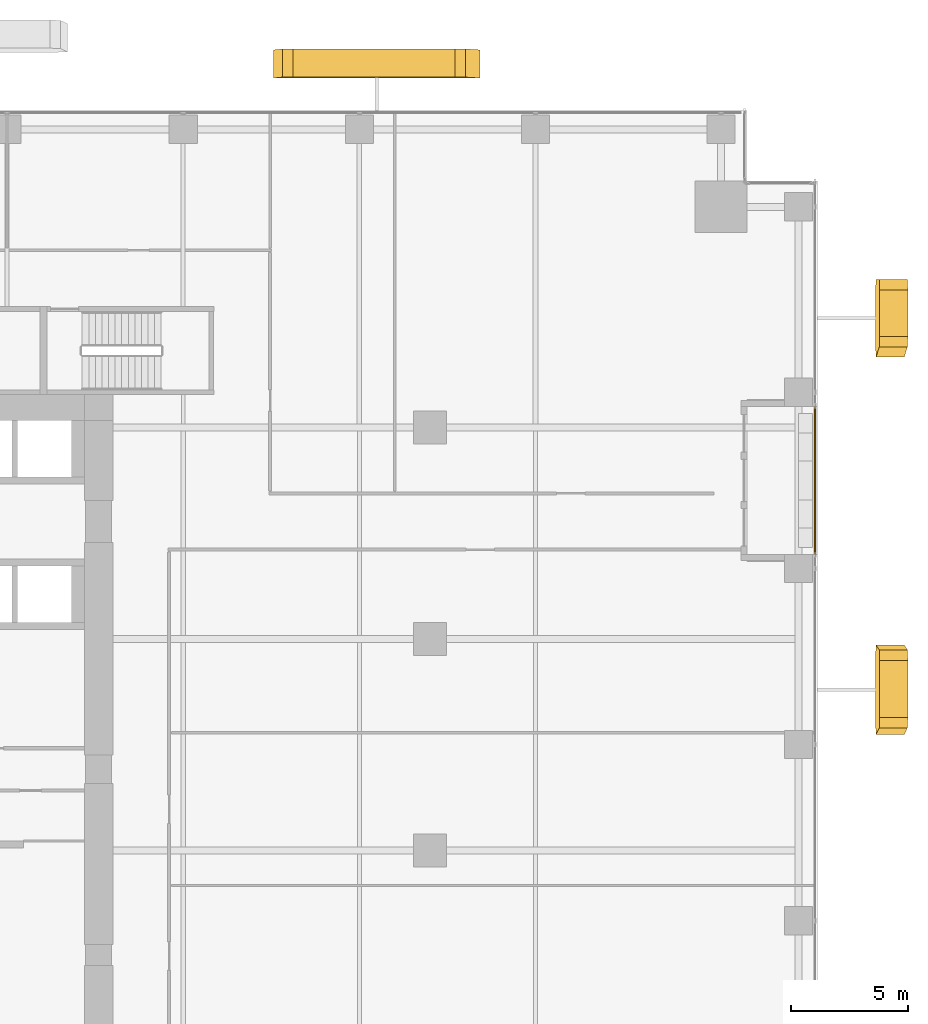
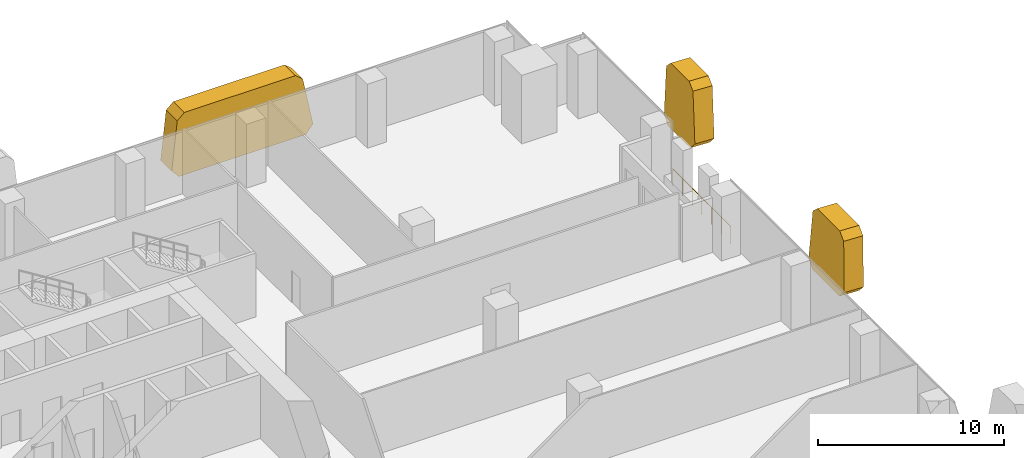
# One storey, part 34 of 35: 3 coverings, 1 railing.
"""IFC4 building model written with IfcOpenShell, lengths in metres."""

import ifcopenshell
import ifcopenshell.guid

model = None  # the IFC model being written
_history = None  # IfcOwnerHistory: only IFC2X3 demands one
_inside = {}  # id of a spatial element -> (the spatial element, [elements in it])
_under = {}  # id of a project, library or spatial element -> (it, [spatial elements below it])
_declared = {}  # id of a project -> (the project, [libraries it declares])
_typed = {}  # id of a type object -> (the type object, [elements of that type])
_made_of = {}  # id of a material, layer set ... -> (it, [elements and type objects made of it])


def new_model(schema):
    """Start an empty IFC model of exactly this schema.

    Asked for "IFC4X3", IfcOpenShell would pick the latest addendum, in which some entities
    have other attributes; the version numbers below select the first issue.
    IFC2X3 requires an IfcOwnerHistory on every rooted entity: one is made here for all.
    """
    global model, _history
    if schema == "IFC4X3":
        model = ifcopenshell.file(schema_version=(4, 3, 0, 0))
    else:
        model = ifcopenshell.file(schema=schema)
    _inside.clear()
    _under.clear()
    _declared.clear()
    _typed.clear()
    _made_of.clear()
    _history = None
    if model.schema == "IFC2X3":
        org = make("IfcOrganization", Name="unknown")
        user = make(
            "IfcPersonAndOrganization",
            ThePerson=make("IfcPerson", FamilyName="unknown"),
            TheOrganization=org,
        )
        app = make(
            "IfcApplication",
            ApplicationDeveloper=org,
            Version="unknown",
            ApplicationFullName="unknown",
            ApplicationIdentifier="unknown",
        )
        _history = make(
            "IfcOwnerHistory",
            OwningUser=user,
            OwningApplication=app,
            ChangeAction="ADDED",
            CreationDate=0,
        )
    return model


def make(cls, **values):
    """One entity of the class cls with the attributes given. An attribute that is None is left unset."""
    return model.create_entity(
        cls, **{name: value for name, value in values.items() if value is not None}
    )


def rooted(cls, **values):
    """An entity with a GlobalId (a new one), such as an element, a storey or a relation."""
    return make(cls, GlobalId=ifcopenshell.guid.new(), OwnerHistory=_history, **values)


def si_unit(unit_type, name, prefix=None):
    """IfcSIUnit, for example si_unit("LENGTHUNIT", "METRE", prefix="MILLI")."""
    return make("IfcSIUnit", UnitType=unit_type, Prefix=prefix, Name=name)


def assignment(units):
    """IfcUnitAssignment: the units of a project."""
    return None if units is None else make("IfcUnitAssignment", Units=units)


def point(xyz):
    """IfcCartesianPoint."""
    return None if xyz is None else make("IfcCartesianPoint", Coordinates=xyz)


def direction(xyz):
    """IfcDirection."""
    return None if xyz is None else make("IfcDirection", DirectionRatios=xyz)


def frame(location, z_axis=None, x_axis=None):
    """IfcAxis2Placement3D, a coordinate frame: its origin and axes. An axis left out is left unset."""
    return make(
        "IfcAxis2Placement3D",
        Location=point(location),
        Axis=direction(z_axis),
        RefDirection=direction(x_axis),
    )


def frame_2d(location, x_axis=None):
    """IfcAxis2Placement2D, a coordinate frame in the plane: its origin and x axis."""
    return make(
        "IfcAxis2Placement2D", Location=point(location), RefDirection=direction(x_axis)
    )


def origin():
    """The frame at (0, 0, 0) with its axes left unset."""
    return frame((0.0, 0.0, 0.0))


def origin_2d():
    """The frame at (0, 0) in the plane with its x axis left unset."""
    return frame_2d((0.0, 0.0))


def place(relative_to, where):
    """IfcLocalPlacement: puts the frame where relative to a parent placement (None: the world)."""
    return make(
        "IfcLocalPlacement", PlacementRelTo=relative_to, RelativePlacement=where
    )


def context(
    kind, dimensions, precision=None, world=None, true_north=None, identifier=None
):
    """IfcGeometricRepresentationContext, for example the 3D "Model" context."""
    return make(
        "IfcGeometricRepresentationContext",
        ContextIdentifier=identifier,
        ContextType=kind,
        CoordinateSpaceDimension=dimensions,
        Precision=precision,
        WorldCoordinateSystem=world,
        TrueNorth=true_north,
    )


def subcontext(parent, identifier, kind, view, scale=None):
    """IfcGeometricRepresentationSubContext, for example "Body" below "Model"."""
    return make(
        "IfcGeometricRepresentationSubContext",
        ContextIdentifier=identifier,
        ContextType=kind,
        ParentContext=parent,
        TargetScale=scale,
        TargetView=view,
    )


def project(units=None, contexts=None):
    """IfcProject with its units and contexts."""
    return rooted(
        "IfcProject",
        Name="project",
        RepresentationContexts=contexts,
        UnitsInContext=assignment(units),
    )


def spatial(cls, under=None, at=None, **own):
    """A site, building, storey or space (cls), placed at a placement, below another one or the project."""
    s = rooted(cls, ObjectPlacement=at, **own)
    if under is not None:
        _under.setdefault(under.id(), (under, []))[1].append(s)
    return s


def polyline(points):
    """IfcPolyline through the points."""
    return make("IfcPolyline", Points=[point(p) for p in points])


def profile(cls, at=None, kind="AREA", **sizes):
    """A parametric profile (cls). Its sizes go by their IFC names, for example OverallWidth=200.0."""
    return make(cls, ProfileType=kind, Position=at, **sizes)


def circle(**sizes):
    """IfcCircleProfileDef."""
    return profile("IfcCircleProfileDef", **sizes)


def outline(outer, holes=None, kind="AREA"):
    """IfcArbitraryClosedProfileDef: a profile drawn as a closed curve; with holes, ...WithVoids."""
    if holes is None:
        return make("IfcArbitraryClosedProfileDef", ProfileType=kind, OuterCurve=outer)
    return make(
        "IfcArbitraryProfileDefWithVoids",
        ProfileType=kind,
        OuterCurve=outer,
        InnerCurves=holes,
    )


def extrude(swept, where, along, depth):
    """IfcExtrudedAreaSolid: the profile swept, set in the frame where, extruded along a direction by depth."""
    return make(
        "IfcExtrudedAreaSolid",
        SweptArea=swept,
        Position=where,
        ExtrudedDirection=direction(along),
        Depth=depth,
    )


def shape(context_of_items, identifier, shape_type, items):
    """IfcShapeRepresentation: the items that make up one representation, for example the "Body"."""
    return make(
        "IfcShapeRepresentation",
        ContextOfItems=context_of_items,
        RepresentationIdentifier=identifier,
        RepresentationType=shape_type,
        Items=items,
    )


def source(mapping_origin, context_of_items, identifier, shape_type, items):
    """IfcRepresentationMap: a shape defined once, which mapped items show again and again."""
    return make(
        "IfcRepresentationMap",
        MappingOrigin=mapping_origin,
        MappedRepresentation=shape(context_of_items, identifier, shape_type, items),
    )


def transform(
    local_origin,
    x_axis=None,
    y_axis=None,
    z_axis=None,
    scale=None,
    scale2=None,
    scale3=None,
    uniform=True,
):
    """IfcCartesianTransformationOperator3D, or its non-uniform kind. x_axis, y_axis, z_axis: its Axis1, 2, 3."""
    if uniform:
        return make(
            "IfcCartesianTransformationOperator3D",
            Axis1=direction(x_axis),
            Axis2=direction(y_axis),
            LocalOrigin=point(local_origin),
            Scale=scale,
            Axis3=direction(z_axis),
        )
    return make(
        "IfcCartesianTransformationOperator3DnonUniform",
        Axis1=direction(x_axis),
        Axis2=direction(y_axis),
        LocalOrigin=point(local_origin),
        Scale=scale,
        Axis3=direction(z_axis),
        Scale2=scale2,
        Scale3=scale3,
    )


def mapped(mapping_source, mapping_target):
    """IfcMappedItem: shows the shape of a source again, moved by a transform."""
    return make(
        "IfcMappedItem", MappingSource=mapping_source, MappingTarget=mapping_target
    )


def material(Name=None, Category=None):
    """IfcMaterial."""
    return make("IfcMaterial", Name=Name, Category=Category)


def layer(
    of_material, thickness, ventilated=None, Name=None, Category=None, Priority=None
):
    """IfcMaterialLayer: one layer of a wall or slab, of a material (None: an air gap)."""
    return make(
        "IfcMaterialLayer",
        Material=of_material,
        LayerThickness=thickness,
        IsVentilated=ventilated,
        Name=Name,
        Category=Category,
        Priority=Priority,
    )


def layer_set(layers, Name=None):
    """IfcMaterialLayerSet."""
    return make("IfcMaterialLayerSet", MaterialLayers=layers, LayerSetName=Name)


def made_of(thing, what):
    """Note that an element or type object is made of a material, layer set ...; save() writes the relation."""
    if what is not None:
        _made_of.setdefault(what.id(), (what, []))[1].append(thing)
    return thing


def type_object(cls, material=None, **own):
    """A type object (cls), such as IfcWallType, which elements share."""
    return made_of(rooted(cls, **own), material)


def element(
    cls,
    number,
    at=None,
    inside=None,
    cuts=None,
    type_object=None,
    material=None,
    context=None,
    identifier="Body",
    shape_type=None,
    held_by="IfcProductDefinitionShape",
    body=None,
    shapes=None,
    **own,
):
    """One element of the class cls, such as IfcWall. Its Tag is "e" and its number.

    at: its placement. inside: the storey or other place that contains it. cuts: it is an
    opening in that element (IfcRelVoidsElement). A single representation is given by context,
    identifier, shape_type and body (its items); several are given by shapes. held_by: the class
    of the entity that holds the representations. save() writes the other relations.
    """
    e = rooted(cls, Tag="e%d" % number, ObjectPlacement=at, **own)
    if body is not None:
        shapes = [shape(context, identifier, shape_type, body)]
    if shapes is not None:
        e.Representation = make(held_by, Representations=shapes)
    if inside is not None:
        _inside.setdefault(inside.id(), (inside, []))[1].append(e)
    if cuts is not None:
        rooted(
            "IfcRelVoidsElement", RelatingBuildingElement=cuts, RelatedOpeningElement=e
        )
    if type_object is not None:
        _typed.setdefault(type_object.id(), (type_object, []))[1].append(e)
    return made_of(e, material)


def aggregate(whole, parts):
    """IfcRelAggregates: a whole, such as a stair, and the parts it consists of."""
    return rooted("IfcRelAggregates", RelatingObject=whole, RelatedObjects=parts)


def save(model, path):
    """Write the relations noted so far, then the file.

    IfcRelAggregates (storeys below a building ...), IfcRelContainedInSpatialStructure (elements
    in a storey), IfcRelDefinesByType, IfcRelAssociatesMaterial and IfcRelDeclares: one each for
    every whole, place, type object, material and project.
    """
    for whole, parts in _under.values():
        aggregate(whole, parts)
    for where, things in _inside.values():
        rooted(
            "IfcRelContainedInSpatialStructure",
            RelatedElements=things,
            RelatingStructure=where,
        )
    for kind, things in _typed.values():
        rooted("IfcRelDefinesByType", RelatedObjects=things, RelatingType=kind)
    for what, things in _made_of.values():
        rooted("IfcRelAssociatesMaterial", RelatedObjects=things, RelatingMaterial=what)
    for by, libraries in _declared.values():
        rooted("IfcRelDeclares", RelatingContext=by, RelatedDefinitions=libraries)
    model.write(path)


model = new_model("IFC4")

# Units and contexts
model_context = context("Model", 3, precision=1e-05, world=origin(), true_north=direction((0.0, 1.0)))
body_context = subcontext(model_context, "Body", "Model", "MODEL_VIEW")
ifc_project = project(units=[si_unit("LENGTHUNIT", "METRE"), si_unit("AREAUNIT", "SQUARE_METRE"), si_unit("VOLUMEUNIT", "CUBIC_METRE"), si_unit("PLANEANGLEUNIT", "RADIAN"), si_unit("MASSUNIT", "GRAM", prefix="KILO")], contexts=[model_context])

# Site, building, storey
site_placement = place(None, origin())
site = spatial("IfcSite", under=ifc_project, at=site_placement, CompositionType="ELEMENT")
building_placement = place(site_placement, origin())
building = spatial("IfcBuilding", under=site, at=building_placement, Name="Khomas Fold Tower", CompositionType="ELEMENT")
storey_placement = place(building_placement, frame((0.0, 0.0, 69.0)))
storey = spatial("IfcBuildingStorey", under=building, at=storey_placement, Name="L14", CompositionType="ELEMENT", Elevation=69.0)

# Coverings
ifc_material_1 = material(Name="Natural stone cladding", Category="masonry")
ifc_layer = layer(ifc_material_1, 1.199951171875)
ifc_layer_set = layer_set([ifc_layer], Name="Natural stone cladding")
covering_type = type_object("IfcCoveringType", Name="SK-Karibib marble stone panel", PredefinedType="CLADDING", material=ifc_layer_set)
covering_1_placement = place(storey_placement, frame((56.635498046875, 31.034423828125, 3.629638671875), z_axis=(-0.999041362511, -4.04762e-07, 0.043776203498), x_axis=(-0.043682174303, 0.065517162844, -0.996894863574)))
element("IfcCovering", 1, at=covering_1_placement, inside=storey, type_object=covering_type, Name="OUTER SKIN leaf L14 ES06-2", PredefinedType="CLADDING", context=body_context, shape_type="SweptSolid", body=[
    extrude(outline(polyline([(0.0, 0.0), (3.1599544451351265, 5.551115123125783e-17), (3.609459356409516, 0.47945503254038147), (3.4185542444602453, 3.3870128857328266), (2.8990493083994644, 3.802110444689454), (-0.2283350486078591, 3.309778337513311), (-0.6079251788065376, 2.8358924512575374), (-0.4493467724500175, 0.42068268531284514), (0.0, 0.0)])), origin(), (0.0, 0.0, -1.0), 1.199951171875),
])
covering_2_placement = place(storey_placement, frame((56.4990234375, 43.496337890625, 0.512939453125), z_axis=(-0.999041385496, 2.0386441e-05, 0.043775674183), x_axis=(0.043350638607, 0.139474184339, 0.98927633856)))
element("IfcCovering", 2, at=covering_2_placement, inside=storey, type_object=covering_type, Name="OUTER SKIN leaf L14 ES09-3", PredefinedType="CLADDING", context=body_context, shape_type="SweptSolid", body=[
    extrude(outline(polyline([(0.0, 0.0), (3.184042961970458, 0.0), (3.6299822207785395, 0.3871436842338234), (3.903925046219827, 2.3320572134311743), (3.520698295253759, 2.840427583184692), (0.3983531518805029, 3.2802127157596668), (-0.1103867444648794, 2.8974766506317136), (-0.4462689110469624, 0.5128120077476028), (0.0, 0.0)])), origin(), (0.0, 0.0, -1.0), 1.199951171875),
])
covering_3_placement = place(storey_placement, frame((39.017822265625, 55.42138671875, 3.6865234375), z_axis=(4.305413e-06, -0.99991370929, 0.013136740669), x_axis=(0.192105616652, -0.012891232089, -0.981289584264)))
element("IfcCovering", 3, at=covering_3_placement, inside=storey, type_object=covering_type, Name="OUTER SKIN leaf L14 NS08-2", PredefinedType="CLADDING", context=body_context, shape_type="SweptSolid", body=[
    extrude(outline(polyline([(0.0, 0.0), (3.2102092069459847, 0.0), (3.651798074581656, -0.5364743254699011), (2.1352142806201733, -8.283964064215265), (1.5564530203202231, -8.626176215430624), (-1.4645584186631, -7.659656744682886), (-1.769016171539694, -7.144553025768578), (-0.44163014554087276, -0.3635827577709496), (0.0, 0.0)])), origin(), (0.0, 0.0, -1.0), 1.199951171875),
])

# Railing
ifc_material_2 = material(Name="Powder-coated steel", Category="steel")
railing_type = type_object("IfcRailingType", Name="Balcony guard", PredefinedType="GUARDRAIL", material=ifc_material_2)
shared_shape = source(origin(), body_context, "Body", "SweptSolid", [
    extrude(circle(Radius=0.02490234375, at=origin_2d()), frame((0.0, 0.0, 1.125), z_axis=(0.0, 1.0, 0.0), x_axis=(-1.0, 0.0, 0.0)), (0.0, 0.0, 1.0), 6.240234375),
    extrude(circle(Radius=0.02001953125, at=origin_2d()), origin(), (0.0, 0.0, 1.0), 1.099853515625),
    extrude(circle(Radius=0.02001953125, at=origin_2d()), frame((0.0, 1.0400390625, 0.0)), (0.0, 0.0, 1.0), 1.099853515625),
    extrude(circle(Radius=0.02001953125, at=origin_2d()), frame((0.0, 2.080078125, 0.0)), (0.0, 0.0, 1.0), 1.099853515625),
    extrude(circle(Radius=0.02001953125, at=origin_2d()), frame((0.0, 3.1201171875, 0.0)), (0.0, 0.0, 1.0), 1.099853515625),
    extrude(circle(Radius=0.02001953125, at=origin_2d()), frame((0.0, 4.16015625, 0.0)), (0.0, 0.0, 1.0), 1.099853515625),
    extrude(circle(Radius=0.02001953125, at=origin_2d()), frame((0.0, 5.2001953125, 0.0)), (0.0, 0.0, 1.0), 1.099853515625),
    extrude(circle(Radius=0.02001953125, at=origin_2d()), frame((0.0, 6.240234375, 0.0)), (0.0, 0.0, 1.0), 1.099853515625),
])
railing_placement = place(storey_placement, frame((53.89990234375, 35.1298828125, -0.044921875)))
element("IfcRailing", 4, at=railing_placement, inside=storey, type_object=railing_type, Name="Balcony guard BAL-L14-E4", PredefinedType="GUARDRAIL", context=body_context, shape_type="MappedRepresentation", body=[
    mapped(shared_shape, transform((0.0, 0.0, 0.0))),
])

save(model, "model.ifc")
